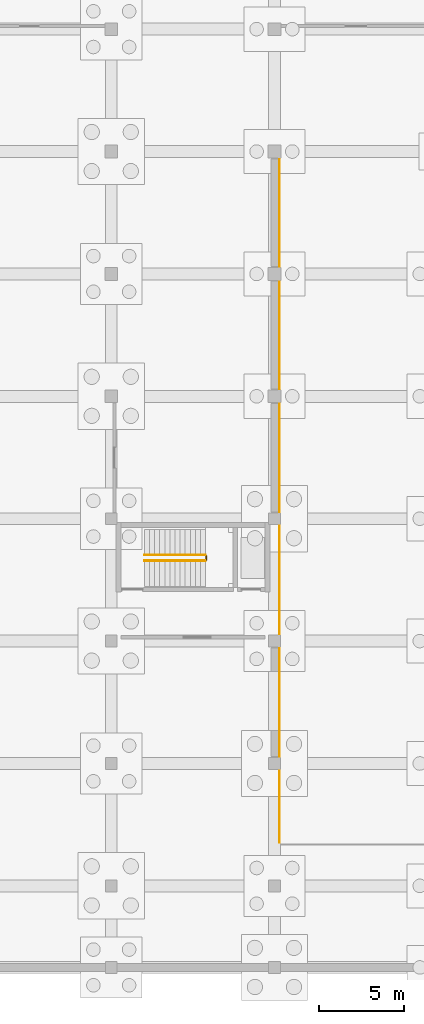
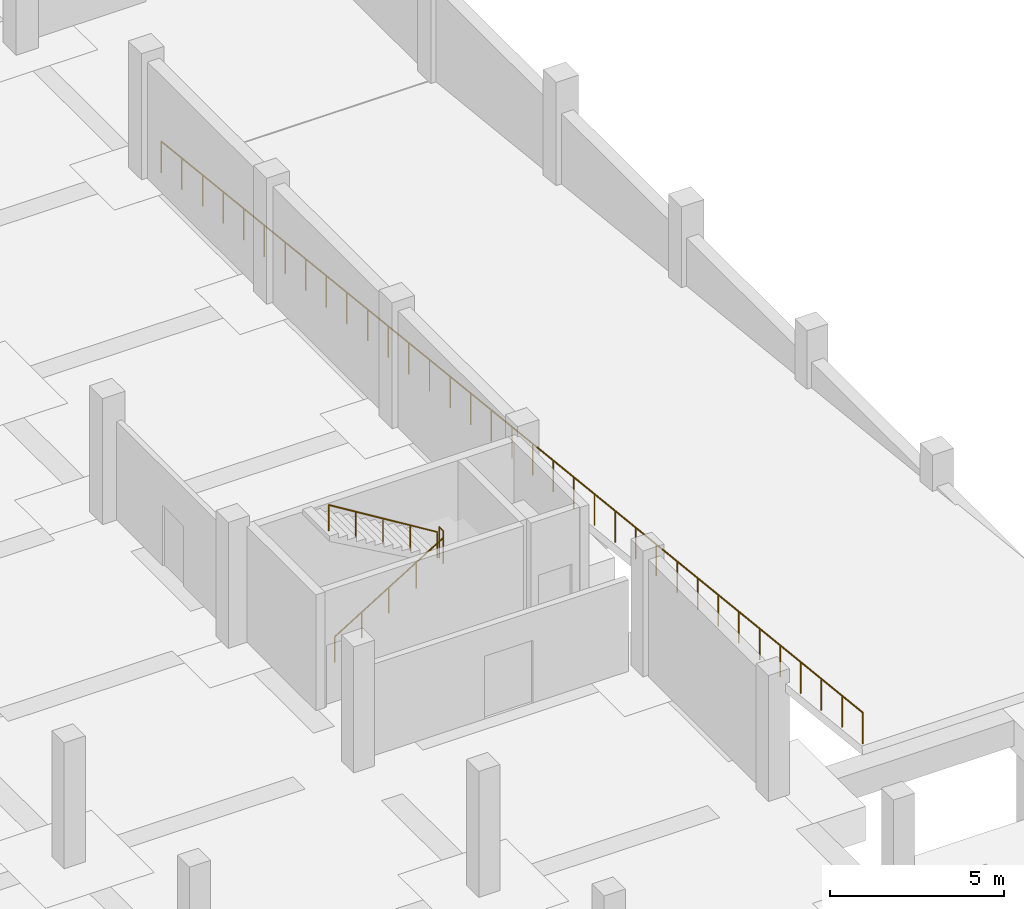
# One storey, part 10 of 13: 4 railings.
"""IFC4 building model written with IfcOpenShell, lengths in metres."""

from ifc_helpers import new_model, si_unit, direction, frame, origin, origin_2d, place, context, subcontext, project, spatial, circle, extrude, material, type_object, element, save


model = new_model("IFC4")

# Units and contexts
model_context = context("Model", 3, precision=1e-05, world=origin(), true_north=direction((0.0, 1.0)))
body_context = subcontext(model_context, "Body", "Model", "MODEL_VIEW")
ifc_project = project(units=[si_unit("LENGTHUNIT", "METRE"), si_unit("AREAUNIT", "SQUARE_METRE"), si_unit("VOLUMEUNIT", "CUBIC_METRE"), si_unit("PLANEANGLEUNIT", "RADIAN"), si_unit("MASSUNIT", "GRAM", prefix="KILO")], contexts=[model_context])

# Site, building, storey
site_placement = place(None, origin())
site = spatial("IfcSite", under=ifc_project, at=site_placement, CompositionType="ELEMENT")
building_placement = place(site_placement, origin())
building = spatial("IfcBuilding", under=site, at=building_placement, Name="Asteropetra Specialist Clinic", CompositionType="ELEMENT")
storey_placement = place(building_placement, frame((0.0, 0.0, -4.419921875)))
storey = spatial("IfcBuildingStorey", under=building, at=storey_placement, Name="B1", CompositionType="ELEMENT", Elevation=-4.419921875)

# Railings
ifc_material_1 = material(Name="Powder-coated Steel S355 guardrail", Category="steel")
railing_type_1 = type_object("IfcRailingType", Name="GRD-EXT-1120", PredefinedType="GUARDRAIL", material=ifc_material_1)
railing_1_placement = place(storey_placement, frame((57.89990234375, 7.35009765625, 4.409912109375)))
element("IfcRailing", 1, at=railing_1_placement, inside=storey, type_object=railing_type_1, Name="Perimeter Guard GRD-RMP-B1W", PredefinedType="GUARDRAIL", context=body_context, shape_type="SweptSolid", body=[
    extrude(circle(Radius=0.02392578125, at=origin_2d()), frame((0.0, 0.0, 1.09619140625), z_axis=(0.0, 0.994092705517, -0.108534293375), x_axis=(-1.0, 0.0, 0.0)), (0.0, 0.0, 1.0), 20.26953125),
    extrude(circle(Radius=0.02392578125, at=origin_2d()), frame((0.0, 20.14990234375, -1.10400390625), z_axis=(0.0, 0.994039307685, -0.109022267346), x_axis=(-1.0, 0.0, 0.0)), (0.0, 0.0, 1.0), 20.270751953125),
    extrude(circle(Radius=0.02099609375, at=origin_2d()), origin(), (0.0, 0.0, 1.0), 1.072021484375),
    extrude(circle(Radius=0.02099609375, at=origin_2d()), frame((0.0, 1.185302734375, -0.12939453125)), (0.0, 0.0, 1.0), 1.072021484375),
    extrude(circle(Radius=0.02099609375, at=origin_2d()), frame((0.0, 2.37060546875, -0.2587890625)), (0.0, 0.0, 1.0), 1.072021484375),
    extrude(circle(Radius=0.02099609375, at=origin_2d()), frame((0.0, 3.555908203125, -0.38818359375)), (0.0, 0.0, 1.0), 1.072021484375),
    extrude(circle(Radius=0.02099609375, at=origin_2d()), frame((0.0, 4.7412109375, -0.517578125)), (0.0, 0.0, 1.0), 1.072021484375),
    extrude(circle(Radius=0.02099609375, at=origin_2d()), frame((0.0, 5.926513671875, -0.64697265625)), (0.0, 0.0, 1.0), 1.072021484375),
    extrude(circle(Radius=0.02099609375, at=origin_2d()), frame((0.0, 7.11181640625, -0.7763671875)), (0.0, 0.0, 1.0), 1.072021484375),
    extrude(circle(Radius=0.02099609375, at=origin_2d()), frame((0.0, 8.297119140625, -0.90576171875)), (0.0, 0.0, 1.0), 1.072021484375),
    extrude(circle(Radius=0.02099609375, at=origin_2d()), frame((0.0, 9.482421875, -1.03515625)), (0.0, 0.0, 1.0), 1.072021484375),
    extrude(circle(Radius=0.02099609375, at=origin_2d()), frame((0.0, 10.66748046875, -1.164794921875)), (0.0, 0.0, 1.0), 1.072021484375),
    extrude(circle(Radius=0.02099609375, at=origin_2d()), frame((0.0, 11.852783203125, -1.294189453125)), (0.0, 0.0, 1.0), 1.072021484375),
    extrude(circle(Radius=0.02099609375, at=origin_2d()), frame((0.0, 13.0380859375, -1.423583984375)), (0.0, 0.0, 1.0), 1.072021484375),
    extrude(circle(Radius=0.02099609375, at=origin_2d()), frame((0.0, 14.223388671875, -1.552978515625)), (0.0, 0.0, 1.0), 1.072021484375),
    extrude(circle(Radius=0.02099609375, at=origin_2d()), frame((0.0, 15.40869140625, -1.682373046875)), (0.0, 0.0, 1.0), 1.072021484375),
    extrude(circle(Radius=0.02099609375, at=origin_2d()), frame((0.0, 16.593994140625, -1.811767578125)), (0.0, 0.0, 1.0), 1.072021484375),
    extrude(circle(Radius=0.02099609375, at=origin_2d()), frame((0.0, 17.779296875, -1.941162109375)), (0.0, 0.0, 1.0), 1.072021484375),
    extrude(circle(Radius=0.02099609375, at=origin_2d()), frame((0.0, 18.964599609375, -2.070556640625)), (0.0, 0.0, 1.0), 1.072021484375),
    extrude(circle(Radius=0.02099609375, at=origin_2d()), frame((0.0, 20.14990234375, -2.199951171875)), (0.0, 0.0, 1.0), 1.072021484375),
    extrude(circle(Radius=0.02099609375, at=origin_2d()), frame((0.0, 21.335205078125, -2.329833984375)), (0.0, 0.0, 1.0), 1.072021484375),
    extrude(circle(Radius=0.02099609375, at=origin_2d()), frame((0.0, 22.5205078125, -2.4599609375)), (0.0, 0.0, 1.0), 1.072021484375),
    extrude(circle(Radius=0.02099609375, at=origin_2d()), frame((0.0, 23.705810546875, -2.58984375)), (0.0, 0.0, 1.0), 1.072021484375),
    extrude(circle(Radius=0.02099609375, at=origin_2d()), frame((0.0, 24.89111328125, -2.719970703125)), (0.0, 0.0, 1.0), 1.072021484375),
    extrude(circle(Radius=0.02099609375, at=origin_2d()), frame((0.0, 26.076416015625, -2.849853515625)), (0.0, 0.0, 1.0), 1.072021484375),
    extrude(circle(Radius=0.02099609375, at=origin_2d()), frame((0.0, 27.26171875, -2.97998046875)), (0.0, 0.0, 1.0), 1.072021484375),
    extrude(circle(Radius=0.02099609375, at=origin_2d()), frame((0.0, 28.447021484375, -3.10986328125)), (0.0, 0.0, 1.0), 1.072021484375),
    extrude(circle(Radius=0.02099609375, at=origin_2d()), frame((0.0, 29.63232421875, -3.239990234375)), (0.0, 0.0, 1.0), 1.072021484375),
    extrude(circle(Radius=0.02099609375, at=origin_2d()), frame((0.0, 30.8173828125, -3.369873046875)), (0.0, 0.0, 1.0), 1.072021484375),
    extrude(circle(Radius=0.02099609375, at=origin_2d()), frame((0.0, 32.002685546875, -3.5)), (0.0, 0.0, 1.0), 1.072021484375),
    extrude(circle(Radius=0.02099609375, at=origin_2d()), frame((0.0, 33.18798828125, -3.6298828125)), (0.0, 0.0, 1.0), 1.072021484375),
    extrude(circle(Radius=0.02099609375, at=origin_2d()), frame((0.0, 34.373291015625, -3.760009765625)), (0.0, 0.0, 1.0), 1.072021484375),
    extrude(circle(Radius=0.02099609375, at=origin_2d()), frame((0.0, 35.55859375, -3.889892578125)), (0.0, 0.0, 1.0), 1.072021484375),
    extrude(circle(Radius=0.02099609375, at=origin_2d()), frame((0.0, 36.743896484375, -4.02001953125)), (0.0, 0.0, 1.0), 1.072021484375),
    extrude(circle(Radius=0.02099609375, at=origin_2d()), frame((0.0, 37.92919921875, -4.14990234375)), (0.0, 0.0, 1.0), 1.072021484375),
    extrude(circle(Radius=0.02099609375, at=origin_2d()), frame((0.0, 39.114501953125, -4.280029296875)), (0.0, 0.0, 1.0), 1.072021484375),
    extrude(circle(Radius=0.02099609375, at=origin_2d()), frame((0.0, 40.2998046875, -4.409912109375)), (0.0, 0.0, 1.0), 1.072021484375),
])
ifc_material_2 = material(Name="Steel S355 and laminated glass guard", Category="steel")
railing_type_2 = type_object("IfcRailingType", Name="GRD-INT-1120", PredefinedType="GUARDRAIL", material=ifc_material_2)
railing_2_placement = place(storey_placement, frame((53.580078125, 23.969970703125, 2.2099609375)))
element("IfcRailing", 2, at=railing_2_placement, inside=storey, type_object=railing_type_2, Name="Landing Slot Guard ST07-B1", PredefinedType="GUARDRAIL", context=body_context, shape_type="SweptSolid", body=[
    extrude(circle(Radius=0.02392578125, at=origin_2d()), frame((0.0, 0.0, 1.09619140625), z_axis=(0.0, 1.0, 0.0), x_axis=(-1.0, 0.0, 0.0)), (0.0, 0.0, 1.0), 0.239990234375),
    extrude(circle(Radius=0.02099609375, at=origin_2d()), origin(), (0.0, 0.0, 1.0), 1.072021484375),
    extrude(circle(Radius=0.02099609375, at=origin_2d()), frame((0.0, 0.239990234375, 0.0)), (0.0, 0.0, 1.0), 1.072021484375),
])
ifc_material_3 = material(Name="Brushed stainless steel handrail", Category="steel")
railing_type_3 = type_object("IfcRailingType", Name="HRL-STAIR-920", PredefinedType="HANDRAIL", material=ifc_material_3)
railing_3_placement = place(storey_placement, frame((49.949951171875, 23.919921875, 0.0)))
element("IfcRailing", 3, at=railing_3_placement, inside=storey, type_object=railing_type_3, Name="Stair Handrail ST07-B1 F1", PredefinedType="HANDRAIL", context=body_context, shape_type="SweptSolid", body=[
    extrude(circle(Radius=0.02392578125, at=origin_2d()), frame((0.0, 0.0, 0.89599609375), z_axis=(0.85223722916, 0.0, 0.523155526811), x_axis=(0.0, 1.0, 0.0)), (0.0, 0.0, 1.0), 4.224365234375),
    extrude(circle(Radius=0.02099609375, at=origin_2d()), origin(), (0.0, 0.0, 1.0), 0.871826171875),
    extrude(circle(Radius=0.02099609375, at=origin_2d()), frame((0.89990234375, 0.0, 0.552490234375)), (0.0, 0.0, 1.0), 0.871826171875),
    extrude(circle(Radius=0.02099609375, at=origin_2d()), frame((1.800048828125, 0.0, 1.10498046875)), (0.0, 0.0, 1.0), 0.871826171875),
    extrude(circle(Radius=0.02099609375, at=origin_2d()), frame((2.7001953125, 0.0, 1.657470703125)), (0.0, 0.0, 1.0), 0.871826171875),
    extrude(circle(Radius=0.02099609375, at=origin_2d()), frame((3.60009765625, 0.0, 2.2099609375)), (0.0, 0.0, 1.0), 0.871826171875),
])
railing_4_placement = place(storey_placement, frame((53.550048828125, 24.260009765625, 2.2099609375)))
element("IfcRailing", 4, at=railing_4_placement, inside=storey, type_object=railing_type_3, Name="Stair Handrail ST07-B1 F2", PredefinedType="HANDRAIL", context=body_context, shape_type="SweptSolid", body=[
    extrude(circle(Radius=0.02392578125, at=origin_2d()), frame((0.0, 0.0, 0.89599609375), z_axis=(-0.85223722916, 0.0, 0.523155526811), x_axis=(0.0, -1.0, 0.0)), (0.0, 0.0, 1.0), 4.224365234375),
    extrude(circle(Radius=0.02099609375, at=origin_2d()), origin(), (0.0, 0.0, 1.0), 0.871826171875),
    extrude(circle(Radius=0.02099609375, at=origin_2d()), frame((-0.89990234375, 0.0, 0.552490234375)), (0.0, 0.0, 1.0), 0.871826171875),
    extrude(circle(Radius=0.02099609375, at=origin_2d()), frame((-1.800048828125, 0.0, 1.10498046875)), (0.0, 0.0, 1.0), 0.871826171875),
    extrude(circle(Radius=0.02099609375, at=origin_2d()), frame((-2.7001953125, 0.0, 1.657470703125)), (0.0, 0.0, 1.0), 0.871826171875),
    extrude(circle(Radius=0.02099609375, at=origin_2d()), frame((-3.60009765625, 0.0, 2.2099609375)), (0.0, 0.0, 1.0), 0.871826171875),
])

save(model, "model.ifc")
